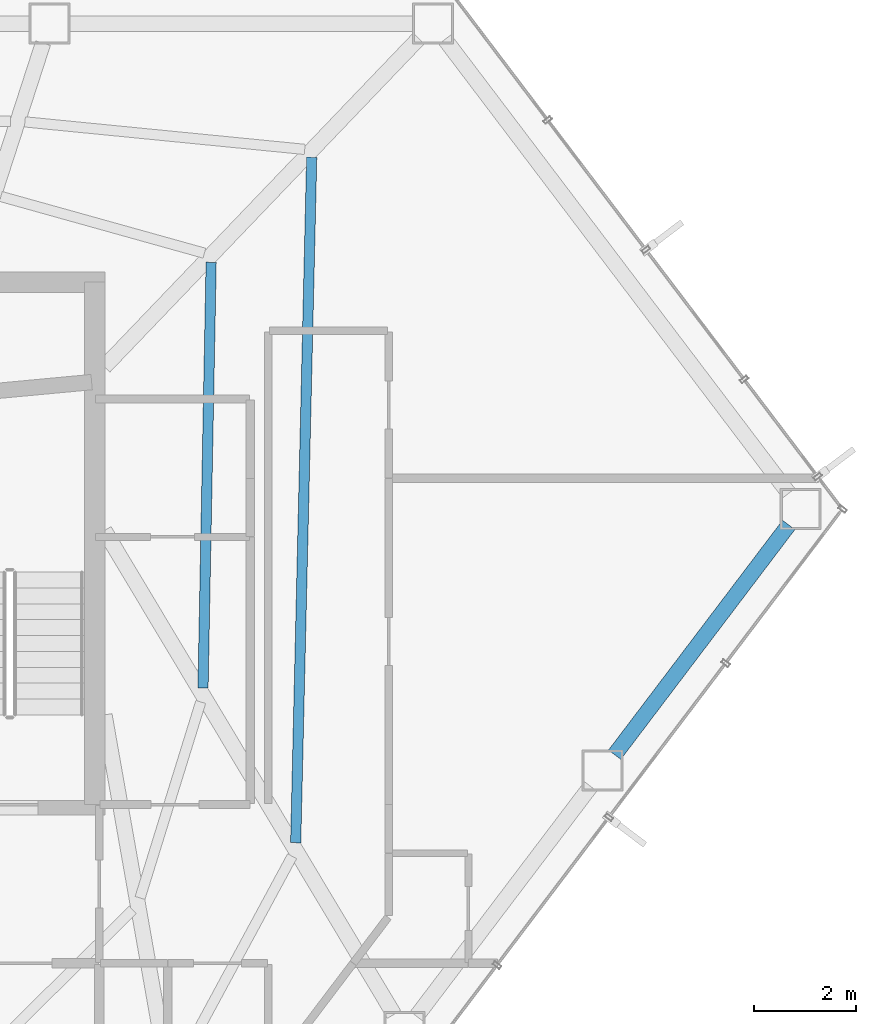
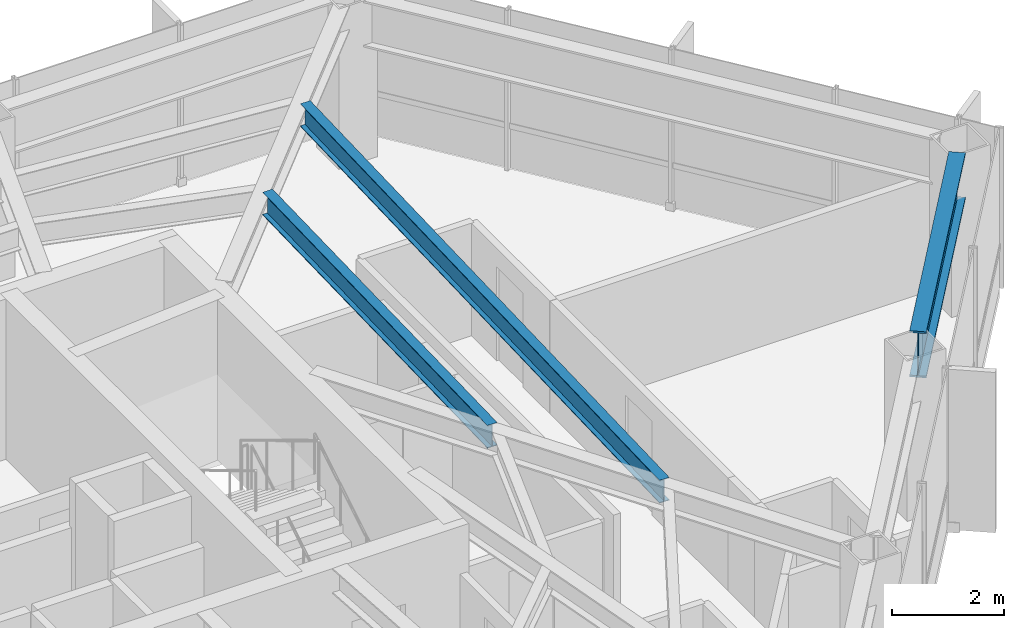
# One storey, part 20 of 29: 3 beams.
"""IFC4 building model written with IfcOpenShell, lengths in metres."""

from ifc_helpers import new_model, si_unit, direction, frame, origin, origin_2d, place, context, subcontext, project, spatial, i_section, extrude, material, material_profile, profile_set, type_object, element, save


model = new_model("IFC4")

# Units and contexts
model_context = context("Model", 3, precision=1e-05, world=origin(), true_north=direction((0.0, 1.0)))
body_context = subcontext(model_context, "Body", "Model", "MODEL_VIEW")
ifc_project = project(units=[si_unit("LENGTHUNIT", "METRE"), si_unit("AREAUNIT", "SQUARE_METRE"), si_unit("VOLUMEUNIT", "CUBIC_METRE"), si_unit("PLANEANGLEUNIT", "RADIAN"), si_unit("MASSUNIT", "GRAM", prefix="KILO")], contexts=[model_context])

# Site, building, storey
site_placement = place(None, origin())
site = spatial("IfcSite", under=ifc_project, at=site_placement, CompositionType="ELEMENT")
building_placement = place(site_placement, origin())
building = spatial("IfcBuilding", under=site, at=building_placement, Name="Zarrinselat Tower", CompositionType="ELEMENT")
storey_placement = place(building_placement, frame((0.0, 0.0, 138.3798828125)))
storey = spatial("IfcBuildingStorey", under=building, at=storey_placement, Name="L33", CompositionType="ELEMENT", Elevation=138.3798828125)

# Beams
ifc_material_1 = material(Name="Steel S460M", Category="steel")
ifc_material_profile_1 = material_profile(ifc_material_1, i_section(OverallWidth=0.302001953125, OverallDepth=1.008056640625, WebThickness=0.02099609375, FlangeThickness=0.0400390625, at=origin_2d()), Name="HEM 1000")
ifc_profile_set_1 = profile_set([ifc_material_profile_1], Name="Steel S460M")
beam_type_1 = type_object("IfcBeamType", Name="BM-HEM1000", PredefinedType="BEAM", material=ifc_profile_set_1)
beam_1_placement = place(storey_placement, frame((58.412841796875, 34.223388671875, 2.99609375), z_axis=(0.603878561397, 0.797076334541, 0.0), x_axis=(-0.797076334541, 0.603878561397, 0.0)))
element("IfcBeam", 1, at=beam_1_placement, inside=storey, type_object=beam_type_1, Name="L33 Perimeter Spandrel Girder SP14", PredefinedType="BEAM", context=body_context, shape_type="SweptSolid", body=[
    extrude(i_section(OverallWidth=0.302001953125, OverallDepth=1.008056640625, WebThickness=0.02099609375, FlangeThickness=0.0400390625, at=origin_2d()), origin(), (0.0, 0.0, 1.0), 5.629638671875),
])
ifc_material_2 = material(Name="Steel S355J2", Category="steel")
ifc_material_profile_2 = material_profile(ifc_material_2, i_section(OverallWidth=0.199951171875, OverallDepth=0.5, WebThickness=0.01025390625, FlangeThickness=0.01611328125, at=origin_2d()), Name="IPE 500")
ifc_profile_set_2 = profile_set([ifc_material_profile_2], Name="Steel S355J2")
beam_type_2 = type_object("IfcBeamType", Name="BM-IPE500", PredefinedType="JOIST", material=ifc_profile_set_2)
beam_2_placement = place(storey_placement, frame((52.184814453125, 32.5048828125, 3.25), z_axis=(0.023339801828, 0.999727589722, 0.0), x_axis=(-0.999727589722, 0.023339801828, 0.0)))
element("IfcBeam", 2, at=beam_2_placement, inside=storey, type_object=beam_type_2, Name="L33 Composite Floor Joist 5-1", PredefinedType="JOIST", context=body_context, shape_type="SweptSolid", body=[
    extrude(i_section(OverallWidth=0.199951171875, OverallDepth=0.5, WebThickness=0.01025390625, FlangeThickness=0.01611328125, at=origin_2d()), origin(), (0.0, 0.0, 1.0), 13.38916015625),
])
beam_3_placement = place(storey_placement, frame((50.375, 35.52783203125, 3.25), z_axis=(0.019118817101, 0.999817218712, 0.0), x_axis=(-0.999817218712, 0.019118817101, 0.0)))
element("IfcBeam", 3, at=beam_3_placement, inside=storey, type_object=beam_type_2, Name="L33 Composite Floor Joist 5-2", PredefinedType="JOIST", context=body_context, shape_type="SweptSolid", body=[
    extrude(i_section(OverallWidth=0.199951171875, OverallDepth=0.5, WebThickness=0.01025390625, FlangeThickness=0.01611328125, at=origin_2d()), origin(), (0.0, 0.0, 1.0), 8.31298828125),
])

save(model, "model.ifc")
